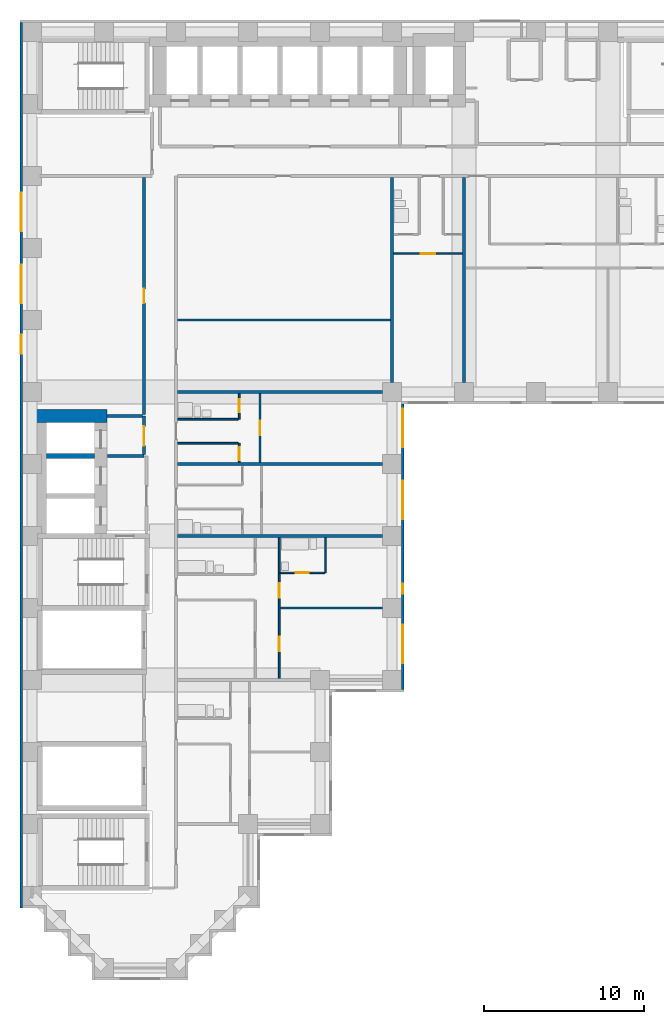
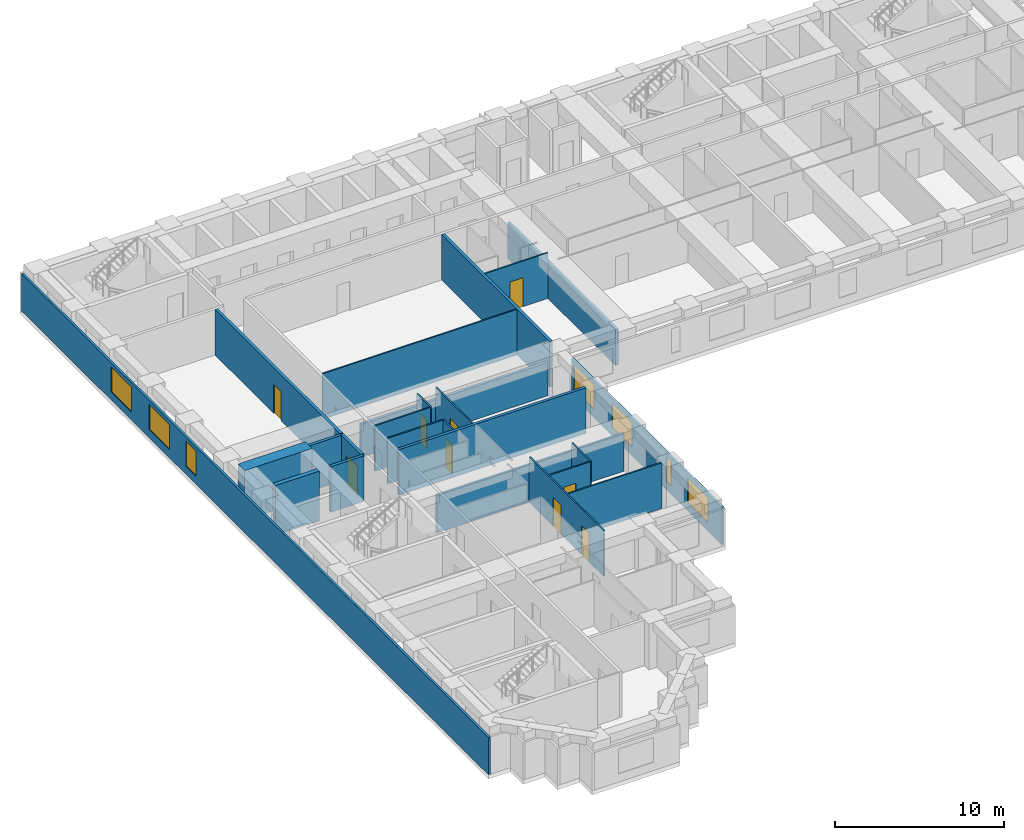
# One storey, part 4 of 11: 24 walls, 9 doors, 7 windows, 16 openings.
"""IFC4 building model written with IfcOpenShell, lengths in metres."""

from ifc_helpers import new_model, si_unit, direction, frame, frame_2d, origin, place, context, subcontext, project, spatial, rectangle, extrude, material, layer, layer_set, type_object, element, fill, save


model = new_model("IFC4")

# Units and contexts
model_context = context("Model", 3, precision=1e-05, world=origin(), true_north=direction((0.0, 1.0)))
body_context = subcontext(model_context, "Body", "Model", "MODEL_VIEW")
ifc_project = project(units=[si_unit("LENGTHUNIT", "METRE"), si_unit("AREAUNIT", "SQUARE_METRE"), si_unit("VOLUMEUNIT", "CUBIC_METRE"), si_unit("PLANEANGLEUNIT", "RADIAN"), si_unit("MASSUNIT", "GRAM", prefix="KILO")], contexts=[model_context])

# Site, building, storey
site_placement = place(None, origin())
site = spatial("IfcSite", under=ifc_project, at=site_placement, CompositionType="ELEMENT")
building_placement = place(site_placement, origin())
building = spatial("IfcBuilding", under=site, at=building_placement, Name="Firuza Court", CompositionType="ELEMENT")
storey_placement = place(building_placement, frame((0.0, 0.0, 57.800048828125)))
storey = spatial("IfcBuildingStorey", under=building, at=storey_placement, Name="L13", CompositionType="ELEMENT", Elevation=57.800048828125)

# Wall, opening, door
ifc_material_1 = material(Name="Moisture-resistant gypsum board partition")
ifc_layer_1 = layer(ifc_material_1, 0.10009765625)
ifc_layer_set_1 = layer_set([ifc_layer_1], Name="Moisture-resistant gypsum board partition")
wall_type_1 = type_object("IfcWallType", Name="Bathroom partition 100", PredefinedType="PLUMBINGWALL", material=ifc_layer_set_1)
wall_1_placement = place(storey_placement, frame((15.5, 24.699951171875, 0.0), z_axis=(0.0, 0.0, 1.0), x_axis=(1.0, 0.0, 0.0)))
wall_1 = element("IfcWall", 1, at=wall_1_placement, inside=storey, type_object=wall_type_1, Name="Bathroom partition 100 L13", PredefinedType="PLUMBINGWALL", context=body_context, shape_type="SweptSolid", body=[
    extrude(rectangle(XDim=2.800048828125, YDim=0.10009765625, at=frame_2d((1.39990234375, 0.0))), origin(), (0.0, 0.0, 1.0), 3.300048828125),
])
opening_1_placement = place(wall_1_placement, frame((1.0, 0.0, 0.0)))
opening_1 = element("IfcOpeningElement", 2, at=opening_1_placement, cuts=wall_1, Name="Opening D13034", PredefinedType="OPENING", context=body_context, shape_type="SweptSolid", body=[
    extrude(rectangle(XDim=0.800048828125, YDim=2.10009765625, at=frame_2d((0.39990234375, 1.050048828125))), frame((0.0, 0.06201171875, 0.0), z_axis=(0.0, -1.0, 0.0), x_axis=(1.0, 0.0, 0.0)), (0.0, 0.0, 1.0), 0.1240234375),
])
ifc_material_2 = material(Name="Timber door leaf in hardwood frame", Category="wood")
door_type_1 = type_object("IfcDoorType", Name="Bathroom door 800", OperationType="SINGLE_SWING_LEFT", PredefinedType="DOOR", material=ifc_material_2)
door_1_placement = place(opening_1_placement, origin())
door_1 = element("IfcDoor", 3, at=door_1_placement, inside=storey, type_object=door_type_1, Name="En-suite door", OperationType="SINGLE_SWING_LEFT", OverallHeight=2.10009765625, OverallWidth=0.800048828125, PredefinedType="DOOR", context=body_context, shape_type="SweptSolid", body=[
    extrude(rectangle(XDim=0.800048828125, YDim=2.10009765625, at=frame_2d((0.39990234375, 1.050048828125))), frame((0.0, 0.02490234375, 0.0), z_axis=(0.0, -1.0, 0.0), x_axis=(1.0, 0.0, 0.0)), (0.0, 0.0, 1.0), 0.050048828125),
])
fill(opening_1, door_1)

# Walls
wall_2_placement = place(storey_placement, frame((18.35009765625, 24.699951171875, 0.0), z_axis=(0.0, 0.0, 1.0), x_axis=(0.0, 1.0, 0.0)))
element("IfcWall", 4, at=wall_2_placement, inside=storey, type_object=wall_type_1, Name="Bathroom partition 100 L13", PredefinedType="PLUMBINGWALL", context=body_context, shape_type="SweptSolid", body=[
    extrude(rectangle(XDim=2.199951171875, YDim=0.10009765625, at=frame_2d((1.10009765625, 0.0))), origin(), (0.0, 0.0, 1.0), 3.300048828125),
])
wall_3_placement = place(storey_placement, frame((9.10009765625, 34.300048828125, 0.0), z_axis=(0.0, 0.0, 1.0), x_axis=(1.0, 0.0, 0.0)))
element("IfcWall", 5, at=wall_3_placement, inside=storey, type_object=wall_type_1, Name="Bathroom partition 100 L13", PredefinedType="PLUMBINGWALL", context=body_context, shape_type="SweptSolid", body=[
    extrude(rectangle(XDim=3.7998046875, YDim=0.10009765625, at=frame_2d((1.89990234375, 0.0))), origin(), (0.0, 0.0, 1.0), 3.300048828125),
])
ifc_material_3 = material(Name="Concrete C60/75", Category="concrete")
ifc_layer_2 = layer(ifc_material_3, 0.300048828125)
ifc_layer_set_2 = layer_set([ifc_layer_2], Name="Concrete C60/75")
wall_type_2 = type_object("IfcWallType", Name="Core wall 300 C60/75", PredefinedType="SHEAR", material=ifc_layer_set_2)
wall_4_placement = place(storey_placement, frame((0.89990234375, 32.0, -0.300048828125), z_axis=(0.0, 0.0, 1.0), x_axis=(1.0, 0.0, 0.0)))
element("IfcWall", 6, at=wall_4_placement, inside=storey, type_object=wall_type_2, Name="Core wall lift shaft L13", PredefinedType="SHEAR", context=body_context, shape_type="SweptSolid", body=[
    extrude(rectangle(XDim=3.0, YDim=0.300048828125, at=frame_2d((1.5, 0.0))), origin(), (0.0, 0.0, 1.0), 3.60009765625),
])
ifc_layer_3 = layer(ifc_material_3, 0.800048828125)
ifc_layer_set_3 = layer_set([ifc_layer_3], Name="Concrete C60/75")
wall_type_3 = type_object("IfcWallType", Name="Core wall 800 C60/75", PredefinedType="SHEAR", material=ifc_layer_set_3)
wall_5_placement = place(storey_placement, frame((0.10009765625, 34.5, -0.300048828125), z_axis=(0.0, 0.0, 1.0), x_axis=(1.0, 0.0, 0.0)))
element("IfcWall", 7, at=wall_5_placement, inside=storey, type_object=wall_type_3, Name="Core wall lift shaft L13", PredefinedType="SHEAR", context=body_context, shape_type="SweptSolid", body=[
    extrude(rectangle(XDim=4.599853515625, YDim=0.800048828125, at=frame_2d((2.2998046875, 0.0))), origin(), (0.0, 0.0, 1.0), 3.60009765625),
])

# Wall, opening, door
ifc_material_4 = material(Name="Blockwork, plastered both sides", Category="masonry")
ifc_layer_4 = layer(ifc_material_4, 0.199951171875)
ifc_layer_set_4 = layer_set([ifc_layer_4], Name="Blockwork, plastered both sides")
wall_type_4 = type_object("IfcWallType", Name="Corridor wall 200", PredefinedType="PARTITIONING", material=ifc_layer_set_4)
wall_6_placement = place(storey_placement, frame((7.0, 34.60009765625, 0.0), z_axis=(0.0, 0.0, 1.0), x_axis=(0.0, 1.0, 0.0)))
wall_6 = element("IfcWall", 8, at=wall_6_placement, inside=storey, type_object=wall_type_4, Name="Corridor wall 200 L13", PredefinedType="PARTITIONING", context=body_context, shape_type="SweptSolid", body=[
    extrude(rectangle(XDim=14.7998046875, YDim=0.199951171875, at=frame_2d((7.39990234375, 0.0))), origin(), (0.0, 0.0, 1.0), 3.300048828125),
])
opening_2_placement = place(wall_6_placement, frame((6.949951171875, 0.0, 0.0)))
opening_2 = element("IfcOpeningElement", 9, at=opening_2_placement, cuts=wall_6, Name="Opening D13041", PredefinedType="OPENING", context=body_context, shape_type="SweptSolid", body=[
    extrude(rectangle(XDim=0.89990234375, YDim=2.10009765625, at=frame_2d((0.449951171875, 1.050048828125))), frame((0.0, 0.11181640625, 0.0), z_axis=(0.0, -1.0, 0.0), x_axis=(1.0, 0.0, 0.0)), (0.0, 0.0, 1.0), 0.223876953125),
])
ifc_material_5 = material(Name="Timber door leaf in hardwood frame", Category="wood")
door_type_2 = type_object("IfcDoorType", Name="Room door 900 EI 30", OperationType="SINGLE_SWING_LEFT", PredefinedType="DOOR", material=ifc_material_5)
door_2_placement = place(opening_2_placement, origin())
door_2 = element("IfcDoor", 10, at=door_2_placement, inside=storey, type_object=door_type_2, Name="Residents' workroom door", OperationType="SINGLE_SWING_LEFT", OverallHeight=2.10009765625, OverallWidth=0.89990234375, PredefinedType="DOOR", context=body_context, shape_type="SweptSolid", body=[
    extrude(rectangle(XDim=0.89990234375, YDim=2.10009765625, at=frame_2d((0.449951171875, 1.050048828125))), frame((0.0, 0.02490234375, 0.0), z_axis=(0.0, -1.0, 0.0), x_axis=(1.0, 0.0, 0.0)), (0.0, 0.0, 1.0), 0.050048828125),
])
fill(opening_2, door_2)

# Wall, openings, doors
ifc_material_6 = material(Name="Timber stud partition, plasterboard both sides", Category="wood")
ifc_layer_5 = layer(ifc_material_6, 0.10009765625)
ifc_layer_set_5 = layer_set([ifc_layer_5], Name="Timber stud partition, plasterboard both sides")
wall_type_5 = type_object("IfcWallType", Name="Partition wall 100", PredefinedType="PARTITIONING", material=ifc_layer_set_5)
wall_7_placement = place(storey_placement, frame((15.449951171875, 18.10009765625, 0.0), z_axis=(0.0, 0.0, 1.0), x_axis=(0.0, 1.0, 0.0)))
wall_7 = element("IfcWall", 11, at=wall_7_placement, inside=storey, type_object=wall_type_5, Name="Partition wall 100 L13", PredefinedType="PARTITIONING", context=body_context, shape_type="SweptSolid", body=[
    extrude(rectangle(XDim=8.7998046875, YDim=0.10009765625, at=frame_2d((4.39990234375, 0.0))), origin(), (0.0, 0.0, 1.0), 3.300048828125),
])
opening_3_placement = place(wall_7_placement, frame((1.699951171875, 0.0, 0.0)))
opening_3 = element("IfcOpeningElement", 12, at=opening_3_placement, cuts=wall_7, Name="Opening D13031", PredefinedType="OPENING", context=body_context, shape_type="SweptSolid", body=[
    extrude(rectangle(XDim=0.89990234375, YDim=2.10009765625, at=frame_2d((0.449951171875, 1.050048828125))), frame((0.0, 0.06201171875, 0.0), z_axis=(0.0, -1.0, 0.0), x_axis=(1.0, 0.0, 0.0)), (0.0, 0.0, 1.0), 0.1240234375),
])
opening_4_placement = place(wall_7_placement, frame((5.050048828125, 0.0, 0.0)))
opening_4 = element("IfcOpeningElement", 13, at=opening_4_placement, cuts=wall_7, Name="Opening D13032", PredefinedType="OPENING", context=body_context, shape_type="SweptSolid", body=[
    extrude(rectangle(XDim=0.89990234375, YDim=2.10009765625, at=frame_2d((0.449951171875, 1.050048828125))), frame((0.0, 0.06201171875, 0.0), z_axis=(0.0, -1.0, 0.0), x_axis=(1.0, 0.0, 0.0)), (0.0, 0.0, 1.0), 0.1240234375),
])
ifc_material_7 = material(Name="Timber door leaf in hardwood frame", Category="wood")
door_type_3 = type_object("IfcDoorType", Name="Room door 900", OperationType="SINGLE_SWING_LEFT", PredefinedType="DOOR", material=ifc_material_7)
door_3_placement = place(opening_3_placement, frame((0.89990234375, 0.0, 0.0), z_axis=(0.0, 0.0, 1.0), x_axis=(-1.0, 0.0, 0.0)))
door_3 = element("IfcDoor", 14, at=door_3_placement, inside=storey, type_object=door_type_3, Name="Living room door", OperationType="SINGLE_SWING_RIGHT", OverallHeight=2.10009765625, OverallWidth=0.89990234375, PredefinedType="DOOR", context=body_context, shape_type="SweptSolid", body=[
    extrude(rectangle(XDim=0.89990234375, YDim=2.10009765625, at=frame_2d((0.449951171875, 1.050048828125))), frame((0.0, 0.02490234375, 0.0), z_axis=(0.0, -1.0, 0.0), x_axis=(1.0, 0.0, 0.0)), (0.0, 0.0, 1.0), 0.050048828125),
])
fill(opening_3, door_3)
door_4_placement = place(opening_4_placement, frame((0.89990234375, 0.0, 0.0), z_axis=(0.0, 0.0, 1.0), x_axis=(-1.0, 0.0, 0.0)))
door_4 = element("IfcDoor", 15, at=door_4_placement, inside=storey, type_object=door_type_3, Name="Bedroom door", OperationType="SINGLE_SWING_RIGHT", OverallHeight=2.10009765625, OverallWidth=0.89990234375, PredefinedType="DOOR", context=body_context, shape_type="SweptSolid", body=[
    extrude(rectangle(XDim=0.89990234375, YDim=2.10009765625, at=frame_2d((0.449951171875, 1.050048828125))), frame((0.0, 0.02490234375, 0.0), z_axis=(0.0, -1.0, 0.0), x_axis=(1.0, 0.0, 0.0)), (0.0, 0.0, 1.0), 0.050048828125),
])
fill(opening_4, door_4)

# Wall
wall_8_placement = place(storey_placement, frame((15.5, 22.5, 0.0), z_axis=(0.0, 0.0, 1.0), x_axis=(1.0, 0.0, 0.0)))
element("IfcWall", 16, at=wall_8_placement, inside=storey, type_object=wall_type_5, Name="Partition wall 100 L13", PredefinedType="PARTITIONING", context=body_context, shape_type="SweptSolid", body=[
    extrude(rectangle(XDim=6.39990234375, YDim=0.10009765625, at=frame_2d((3.199951171875, 0.0))), origin(), (0.0, 0.0, 1.0), 3.300048828125),
])

# Wall, opening, door
wall_9_placement = place(storey_placement, frame((12.949951171875, 31.60009765625, 0.0), z_axis=(0.0, 0.0, 1.0), x_axis=(0.0, 1.0, 0.0)))
wall_9 = element("IfcWall", 17, at=wall_9_placement, inside=storey, type_object=wall_type_5, Name="Partition wall 100 L13", PredefinedType="PARTITIONING", context=body_context, shape_type="SweptSolid", body=[
    extrude(rectangle(XDim=1.199951171875, YDim=0.10009765625, at=frame_2d((0.60009765625, 0.0))), origin(), (0.0, 0.0, 1.0), 3.300048828125),
])
opening_5_placement = place(wall_9_placement, frame((0.14990234375, 0.0, 0.0)))
opening_5 = element("IfcOpeningElement", 18, at=opening_5_placement, cuts=wall_9, Name="Opening D13038", PredefinedType="OPENING", context=body_context, shape_type="SweptSolid", body=[
    extrude(rectangle(XDim=0.800048828125, YDim=2.10009765625, at=frame_2d((0.39990234375, 1.050048828125))), frame((0.0, 0.06201171875, 0.0), z_axis=(0.0, -1.0, 0.0), x_axis=(1.0, 0.0, 0.0)), (0.0, 0.0, 1.0), 0.1240234375),
])
ifc_material_8 = material(Name="Timber door leaf in hardwood frame", Category="wood")
door_type_4 = type_object("IfcDoorType", Name="Room door 800", OperationType="SINGLE_SWING_LEFT", PredefinedType="DOOR", material=ifc_material_8)
door_5_placement = place(opening_5_placement, origin())
door_5 = element("IfcDoor", 19, at=door_5_placement, inside=storey, type_object=door_type_4, Name="Kitchen door", OperationType="SINGLE_SWING_LEFT", OverallHeight=2.10009765625, OverallWidth=0.800048828125, PredefinedType="DOOR", context=body_context, shape_type="SweptSolid", body=[
    extrude(rectangle(XDim=0.800048828125, YDim=2.10009765625, at=frame_2d((0.39990234375, 1.050048828125))), frame((0.0, 0.02490234375, 0.0), z_axis=(0.0, -1.0, 0.0), x_axis=(1.0, 0.0, 0.0)), (0.0, 0.0, 1.0), 0.050048828125),
])
fill(opening_5, door_5)

wall_10_placement = place(storey_placement, frame((14.25, 31.60009765625, 0.0), z_axis=(0.0, 0.0, 1.0), x_axis=(0.0, 1.0, 0.0)))
wall_10 = element("IfcWall", 20, at=wall_10_placement, inside=storey, type_object=wall_type_5, Name="Partition wall 100 L13", PredefinedType="PARTITIONING", context=body_context, shape_type="SweptSolid", body=[
    extrude(rectangle(XDim=4.2998046875, YDim=0.10009765625, at=frame_2d((2.14990234375, 0.0))), origin(), (0.0, 0.0, 1.0), 3.300048828125),
])
opening_6_placement = place(wall_10_placement, frame((1.699951171875, 0.0, 0.0)))
opening_6 = element("IfcOpeningElement", 21, at=opening_6_placement, cuts=wall_10, Name="Opening D13039", PredefinedType="OPENING", context=body_context, shape_type="SweptSolid", body=[
    extrude(rectangle(XDim=0.89990234375, YDim=2.10009765625, at=frame_2d((0.449951171875, 1.050048828125))), frame((0.0, 0.06201171875, 0.0), z_axis=(0.0, -1.0, 0.0), x_axis=(1.0, 0.0, 0.0)), (0.0, 0.0, 1.0), 0.1240234375),
])
door_6_placement = place(opening_6_placement, frame((0.89990234375, 0.0, 0.0), z_axis=(0.0, 0.0, 1.0), x_axis=(-1.0, 0.0, 0.0)))
door_6 = element("IfcDoor", 22, at=door_6_placement, inside=storey, type_object=door_type_3, Name="Studio room door", OperationType="SINGLE_SWING_RIGHT", OverallHeight=2.10009765625, OverallWidth=0.89990234375, PredefinedType="DOOR", context=body_context, shape_type="SweptSolid", body=[
    extrude(rectangle(XDim=0.89990234375, YDim=2.10009765625, at=frame_2d((0.449951171875, 1.050048828125))), frame((0.0, 0.02490234375, 0.0), z_axis=(0.0, -1.0, 0.0), x_axis=(1.0, 0.0, 0.0)), (0.0, 0.0, 1.0), 0.050048828125),
])
fill(opening_6, door_6)

# Wall
wall_11_placement = place(storey_placement, frame((9.10009765625, 32.800048828125, 0.0), z_axis=(0.0, 0.0, 1.0), x_axis=(1.0, 0.0, 0.0)))
element("IfcWall", 23, at=wall_11_placement, inside=storey, type_object=wall_type_5, Name="Partition wall 100 L13", PredefinedType="PARTITIONING", context=body_context, shape_type="SweptSolid", body=[
    extrude(rectangle(XDim=3.7998046875, YDim=0.10009765625, at=frame_2d((1.89990234375, 0.0))), origin(), (0.0, 0.0, 1.0), 3.300048828125),
])

# Wall, opening, door
wall_12_placement = place(storey_placement, frame((12.949951171875, 34.300048828125, 0.0), z_axis=(0.0, 0.0, 1.0), x_axis=(0.0, 1.0, 0.0)))
wall_12 = element("IfcWall", 24, at=wall_12_placement, inside=storey, type_object=wall_type_5, Name="Partition wall 100 L13", PredefinedType="PARTITIONING", context=body_context, shape_type="SweptSolid", body=[
    extrude(rectangle(XDim=1.599853515625, YDim=0.10009765625, at=frame_2d((0.7998046875, 0.0))), origin(), (0.0, 0.0, 1.0), 3.300048828125),
])
opening_7_placement = place(wall_12_placement, frame((0.449951171875, 0.0, 0.0)))
opening_7 = element("IfcOpeningElement", 25, at=opening_7_placement, cuts=wall_12, Name="Opening D13040", PredefinedType="OPENING", context=body_context, shape_type="SweptSolid", body=[
    extrude(rectangle(XDim=0.800048828125, YDim=2.10009765625, at=frame_2d((0.39990234375, 1.050048828125))), frame((0.0, 0.06201171875, 0.0), z_axis=(0.0, -1.0, 0.0), x_axis=(1.0, 0.0, 0.0)), (0.0, 0.0, 1.0), 0.1240234375),
])
door_7_placement = place(opening_7_placement, origin())
door_7 = element("IfcDoor", 26, at=door_7_placement, inside=storey, type_object=door_type_1, Name="Bathroom door", OperationType="SINGLE_SWING_LEFT", OverallHeight=2.10009765625, OverallWidth=0.800048828125, PredefinedType="DOOR", context=body_context, shape_type="SweptSolid", body=[
    extrude(rectangle(XDim=0.800048828125, YDim=2.10009765625, at=frame_2d((0.39990234375, 1.050048828125))), frame((0.0, 0.02490234375, 0.0), z_axis=(0.0, -1.0, 0.0), x_axis=(1.0, 0.0, 0.0)), (0.0, 0.0, 1.0), 0.050048828125),
])
fill(opening_7, door_7)

# Wall
wall_13_placement = place(storey_placement, frame((9.10009765625, 40.5, 0.0), z_axis=(0.0, 0.0, 1.0), x_axis=(1.0, 0.0, 0.0)))
element("IfcWall", 27, at=wall_13_placement, inside=storey, type_object=wall_type_5, Name="Partition wall 100 L13", PredefinedType="PARTITIONING", context=body_context, shape_type="SweptSolid", body=[
    extrude(rectangle(XDim=13.2998046875, YDim=0.10009765625, at=frame_2d((6.64990234375, 0.0))), origin(), (0.0, 0.0, 1.0), 3.300048828125),
])

# Wall, opening, door
wall_14_placement = place(storey_placement, frame((22.60009765625, 44.64990234375, 0.0), z_axis=(0.0, 0.0, 1.0), x_axis=(1.0, 0.0, 0.0)))
wall_14 = element("IfcWall", 28, at=wall_14_placement, inside=storey, type_object=wall_type_5, Name="Partition wall 100 L13", PredefinedType="PARTITIONING", context=body_context, shape_type="SweptSolid", body=[
    extrude(rectangle(XDim=4.2998046875, YDim=0.10009765625, at=frame_2d((2.14990234375, 0.0))), origin(), (0.0, 0.0, 1.0), 3.300048828125),
])
opening_8_placement = place(wall_14_placement, frame((1.699951171875, 0.0, 0.0)))
opening_8 = element("IfcOpeningElement", 29, at=opening_8_placement, cuts=wall_14, Name="Opening D13049", PredefinedType="OPENING", context=body_context, shape_type="SweptSolid", body=[
    extrude(rectangle(XDim=0.89990234375, YDim=2.10009765625, at=frame_2d((0.449951171875, 1.050048828125))), frame((0.0, 0.06201171875, 0.0), z_axis=(0.0, -1.0, 0.0), x_axis=(1.0, 0.0, 0.0)), (0.0, 0.0, 1.0), 0.1240234375),
])
door_8_placement = place(opening_8_placement, frame((0.89990234375, 0.0, 0.0), z_axis=(0.0, 0.0, 1.0), x_axis=(-1.0, 0.0, 0.0)))
door_8 = element("IfcDoor", 30, at=door_8_placement, inside=storey, type_object=door_type_3, Name="Studio room door", OperationType="SINGLE_SWING_RIGHT", OverallHeight=2.10009765625, OverallWidth=0.89990234375, PredefinedType="DOOR", context=body_context, shape_type="SweptSolid", body=[
    extrude(rectangle(XDim=0.89990234375, YDim=2.10009765625, at=frame_2d((0.449951171875, 1.050048828125))), frame((0.0, 0.02490234375, 0.0), z_axis=(0.0, -1.0, 0.0), x_axis=(1.0, 0.0, 0.0)), (0.0, 0.0, 1.0), 0.050048828125),
])
fill(opening_8, door_8)

# Walls
ifc_layer_6 = layer(ifc_material_4, 0.199951171875)
ifc_layer_set_6 = layer_set([ifc_layer_6], Name="Blockwork, plastered both sides")
wall_type_6 = type_object("IfcWallType", Name="Party wall 200", PredefinedType="PARTITIONING", material=ifc_layer_set_6)
wall_15_placement = place(storey_placement, frame((9.10009765625, 27.0, 0.0), z_axis=(0.0, 0.0, 1.0), x_axis=(1.0, 0.0, 0.0)))
element("IfcWall", 31, at=wall_15_placement, inside=storey, type_object=wall_type_6, Name="Party wall 200 L13", PredefinedType="PARTITIONING", context=body_context, shape_type="SweptSolid", body=[
    extrude(rectangle(XDim=12.7998046875, YDim=0.199951171875, at=frame_2d((6.39990234375, 0.0))), origin(), (0.0, 0.0, 1.0), 2.699951171875),
])
wall_16_placement = place(storey_placement, frame((9.10009765625, 31.5, 0.0), z_axis=(0.0, 0.0, 1.0), x_axis=(1.0, 0.0, 0.0)))
element("IfcWall", 32, at=wall_16_placement, inside=storey, type_object=wall_type_6, Name="Party wall 200 L13", PredefinedType="PARTITIONING", context=body_context, shape_type="SweptSolid", body=[
    extrude(rectangle(XDim=12.7998046875, YDim=0.199951171875, at=frame_2d((6.39990234375, 0.0))), origin(), (0.0, 0.0, 1.0), 3.300048828125),
])
wall_17_placement = place(storey_placement, frame((9.10009765625, 36.0, 0.0), z_axis=(0.0, 0.0, 1.0), x_axis=(1.0, 0.0, 0.0)))
element("IfcWall", 33, at=wall_17_placement, inside=storey, type_object=wall_type_6, Name="Party wall 200 L13", PredefinedType="PARTITIONING", context=body_context, shape_type="SweptSolid", body=[
    extrude(rectangle(XDim=12.7998046875, YDim=0.199951171875, at=frame_2d((6.39990234375, 0.0))), origin(), (0.0, 0.0, 1.0), 2.39990234375),
])
wall_18_placement = place(storey_placement, frame((22.5, 36.60009765625, 0.0), z_axis=(0.0, 0.0, 1.0), x_axis=(0.0, 1.0, 0.0)))
element("IfcWall", 34, at=wall_18_placement, inside=storey, type_object=wall_type_6, Name="Party wall 200 L13", PredefinedType="PARTITIONING", context=body_context, shape_type="SweptSolid", body=[
    extrude(rectangle(XDim=12.7998046875, YDim=0.199951171875, at=frame_2d((6.39990234375, 0.0))), origin(), (0.0, 0.0, 1.0), 3.300048828125),
])
wall_19_placement = place(storey_placement, frame((27.0, 36.60009765625, 0.0), z_axis=(0.0, 0.0, 1.0), x_axis=(0.0, 1.0, 0.0)))
element("IfcWall", 35, at=wall_19_placement, inside=storey, type_object=wall_type_6, Name="Party wall 200 L13", PredefinedType="PARTITIONING", context=body_context, shape_type="SweptSolid", body=[
    extrude(rectangle(XDim=12.7998046875, YDim=0.199951171875, at=frame_2d((6.39990234375, 0.0))), origin(), (0.0, 0.0, 1.0), 2.599853515625),
])

# Wall, openings, windows
ifc_material_9 = material(Name="Ceramic tile", Category="ceramic")
ifc_layer_7 = layer(ifc_material_9, 0.02001953125)
ifc_material_10 = material(Name="Mineral wool insulation", Category="insulation")
ifc_layer_8 = layer(ifc_material_10, 0.050048828125)
ifc_material_11 = material(Name="Concrete C40/50 precast", Category="concrete")
ifc_layer_9 = layer(ifc_material_11, 0.080078125)
ifc_layer_set_7 = layer_set([ifc_layer_7, ifc_layer_8, ifc_layer_9], Name="Concrete C40/50 precast")
wall_type_7 = type_object("IfcWallType", Name="Precast cladding wall with turquoise TILE PANEL face 150", PredefinedType="STANDARD", material=ifc_layer_set_7)
wall_20_placement = place(storey_placement, frame((23.175048828125, 17.39990234375, 0.0), z_axis=(0.0, 0.0, 1.0), x_axis=(0.0, 1.0, 0.0)))
wall_20 = element("IfcWall", 36, at=wall_20_placement, inside=storey, type_object=wall_type_7, Name="Facade wall L13 E", PredefinedType="STANDARD", context=body_context, shape_type="SweptSolid", body=[
    extrude(rectangle(XDim=17.85009765625, YDim=0.14990234375, at=frame_2d((8.925048828125, 0.0))), origin(), (0.0, 0.0, 1.0), 2.699951171875),
])
opening_9_placement = place(wall_20_placement, frame((1.64990234375, 0.0, 0.60009765625)))
opening_9 = element("IfcOpeningElement", 37, at=opening_9_placement, cuts=wall_20, Name="Opening W1", PredefinedType="OPENING", context=body_context, shape_type="SweptSolid", body=[
    extrude(rectangle(XDim=2.39990234375, YDim=1.800048828125, at=frame_2d((1.199951171875, 0.89990234375))), frame((0.0, 0.0869140625, 0.0), z_axis=(0.0, -1.0, 0.0), x_axis=(1.0, 0.0, 0.0)), (0.0, 0.0, 1.0), 0.173828125),
])
opening_10_placement = place(wall_20_placement, frame((6.005615234375, 0.0, 0.60009765625)))
opening_10 = element("IfcOpeningElement", 38, at=opening_10_placement, cuts=wall_20, Name="Opening W4", PredefinedType="OPENING", context=body_context, shape_type="SweptSolid", body=[
    extrude(rectangle(XDim=0.60009765625, YDim=1.800048828125, at=frame_2d((0.300048828125, 0.89990234375))), frame((0.0, 0.0869140625, 0.0), z_axis=(0.0, -1.0, 0.0), x_axis=(1.0, 0.0, 0.0)), (0.0, 0.0, 1.0), 0.173828125),
])
opening_11_placement = place(wall_20_placement, frame((10.64990234375, 0.0, 0.60009765625)))
opening_11 = element("IfcOpeningElement", 39, at=opening_11_placement, cuts=wall_20, Name="Opening W1", PredefinedType="OPENING", context=body_context, shape_type="SweptSolid", body=[
    extrude(rectangle(XDim=2.39990234375, YDim=1.800048828125, at=frame_2d((1.199951171875, 0.89990234375))), frame((0.0, 0.0869140625, 0.0), z_axis=(0.0, -1.0, 0.0), x_axis=(1.0, 0.0, 0.0)), (0.0, 0.0, 1.0), 0.173828125),
])
opening_12_placement = place(wall_20_placement, frame((15.14990234375, 0.0, 0.60009765625)))
opening_12 = element("IfcOpeningElement", 40, at=opening_12_placement, cuts=wall_20, Name="Opening W1", PredefinedType="OPENING", context=body_context, shape_type="SweptSolid", body=[
    extrude(rectangle(XDim=2.39990234375, YDim=1.800048828125, at=frame_2d((1.199951171875, 0.89990234375))), frame((0.0, 0.0869140625, 0.0), z_axis=(0.0, -1.0, 0.0), x_axis=(1.0, 0.0, 0.0)), (0.0, 0.0, 1.0), 0.173828125),
])
ifc_material_12 = material(Name="Aluminium frame, triple clear glazing", Category="aluminium")
window_type_1 = type_object("IfcWindowType", Name="Window W1 2400 x 1800", PartitioningType="SINGLE_PANEL", PredefinedType="WINDOW", material=ifc_material_12)
window_1_placement = place(opening_9_placement, origin())
window_1 = element("IfcWindow", 41, at=window_1_placement, inside=storey, type_object=window_type_1, Name="Window L13", OverallHeight=1.800048828125, OverallWidth=2.39990234375, PartitioningType="SINGLE_PANEL", PredefinedType="WINDOW", context=body_context, shape_type="SweptSolid", body=[
    extrude(rectangle(XDim=2.39990234375, YDim=1.800048828125, at=frame_2d((1.199951171875, 0.89990234375))), frame((0.0, 0.030029296875, 0.0), z_axis=(0.0, -1.0, 0.0), x_axis=(1.0, 0.0, 0.0)), (0.0, 0.0, 1.0), 0.06005859375),
])
fill(opening_9, window_1)
window_2_placement = place(opening_11_placement, origin())
window_2 = element("IfcWindow", 42, at=window_2_placement, inside=storey, type_object=window_type_1, Name="Window L13", OverallHeight=1.800048828125, OverallWidth=2.39990234375, PartitioningType="SINGLE_PANEL", PredefinedType="WINDOW", context=body_context, shape_type="SweptSolid", body=[
    extrude(rectangle(XDim=2.39990234375, YDim=1.800048828125, at=frame_2d((1.199951171875, 0.89990234375))), frame((0.0, 0.030029296875, 0.0), z_axis=(0.0, -1.0, 0.0), x_axis=(1.0, 0.0, 0.0)), (0.0, 0.0, 1.0), 0.06005859375),
])
fill(opening_11, window_2)
window_3_placement = place(opening_12_placement, origin())
window_3 = element("IfcWindow", 43, at=window_3_placement, inside=storey, type_object=window_type_1, Name="Window L13", OverallHeight=1.800048828125, OverallWidth=2.39990234375, PartitioningType="SINGLE_PANEL", PredefinedType="WINDOW", context=body_context, shape_type="SweptSolid", body=[
    extrude(rectangle(XDim=2.39990234375, YDim=1.800048828125, at=frame_2d((1.199951171875, 0.89990234375))), frame((0.0, 0.030029296875, 0.0), z_axis=(0.0, -1.0, 0.0), x_axis=(1.0, 0.0, 0.0)), (0.0, 0.0, 1.0), 0.06005859375),
])
fill(opening_12, window_3)
ifc_material_13 = material(Name="Aluminium frame, triple clear glazing", Category="aluminium")
window_type_2 = type_object("IfcWindowType", Name="Window W4 600 x 1800", PartitioningType="SINGLE_PANEL", PredefinedType="WINDOW", material=ifc_material_13)
window_4_placement = place(opening_10_placement, origin())
window_4 = element("IfcWindow", 44, at=window_4_placement, inside=storey, type_object=window_type_2, Name="Window L13", OverallHeight=1.800048828125, OverallWidth=0.60009765625, PartitioningType="SINGLE_PANEL", PredefinedType="WINDOW", context=body_context, shape_type="SweptSolid", body=[
    extrude(rectangle(XDim=0.60009765625, YDim=1.800048828125, at=frame_2d((0.300048828125, 0.89990234375))), frame((0.0, 0.030029296875, 0.0), z_axis=(0.0, -1.0, 0.0), x_axis=(1.0, 0.0, 0.0)), (0.0, 0.0, 1.0), 0.06005859375),
])
fill(opening_10, window_4)

wall_21_placement = place(storey_placement, frame((-0.675048828125, 59.10009765625, 0.0), z_axis=(0.0, 0.0, 1.0), x_axis=(0.0, -1.0, 0.0)))
wall_21 = element("IfcWall", 45, at=wall_21_placement, inside=storey, type_object=wall_type_7, Name="Facade wall L13 W", PredefinedType="STANDARD", context=body_context, shape_type="SweptSolid", body=[
    extrude(rectangle(XDim=55.35009765625, YDim=0.14990234375, at=frame_2d((27.675048828125, 0.0))), origin(), (0.0, 0.0, 1.0), 2.699951171875),
])
opening_13_placement = place(wall_21_placement, frame((10.64990234375, 0.0, 0.60009765625)))
opening_13 = element("IfcOpeningElement", 46, at=opening_13_placement, cuts=wall_21, Name="Opening W1", PredefinedType="OPENING", context=body_context, shape_type="SweptSolid", body=[
    extrude(rectangle(XDim=2.39990234375, YDim=1.800048828125, at=frame_2d((1.199951171875, 0.89990234375))), frame((0.0, 0.0869140625, 0.0), z_axis=(0.0, -1.0, 0.0), x_axis=(1.0, 0.0, 0.0)), (0.0, 0.0, 1.0), 0.173828125),
])
opening_14_placement = place(wall_21_placement, frame((15.14990234375, 0.0, 0.60009765625)))
opening_14 = element("IfcOpeningElement", 47, at=opening_14_placement, cuts=wall_21, Name="Opening W1", PredefinedType="OPENING", context=body_context, shape_type="SweptSolid", body=[
    extrude(rectangle(XDim=2.39990234375, YDim=1.800048828125, at=frame_2d((1.199951171875, 0.89990234375))), frame((0.0, 0.0869140625, 0.0), z_axis=(0.0, -1.0, 0.0), x_axis=(1.0, 0.0, 0.0)), (0.0, 0.0, 1.0), 0.173828125),
])
opening_15_placement = place(wall_21_placement, frame((19.523193359375, 0.0, 0.60009765625)))
opening_15 = element("IfcOpeningElement", 48, at=opening_15_placement, cuts=wall_21, Name="Opening W8", PredefinedType="OPENING", context=body_context, shape_type="SweptSolid", body=[
    extrude(rectangle(XDim=1.199951171875, YDim=1.800048828125, at=frame_2d((0.60009765625, 0.89990234375))), frame((0.0, 0.0869140625, 0.0), z_axis=(0.0, -1.0, 0.0), x_axis=(1.0, 0.0, 0.0)), (0.0, 0.0, 1.0), 0.173828125),
])
window_5_placement = place(opening_13_placement, origin())
window_5 = element("IfcWindow", 49, at=window_5_placement, inside=storey, type_object=window_type_1, Name="Window L13", OverallHeight=1.800048828125, OverallWidth=2.39990234375, PartitioningType="SINGLE_PANEL", PredefinedType="WINDOW", context=body_context, shape_type="SweptSolid", body=[
    extrude(rectangle(XDim=2.39990234375, YDim=1.800048828125, at=frame_2d((1.199951171875, 0.89990234375))), frame((0.0, 0.030029296875, 0.0), z_axis=(0.0, -1.0, 0.0), x_axis=(1.0, 0.0, 0.0)), (0.0, 0.0, 1.0), 0.06005859375),
])
fill(opening_13, window_5)
window_6_placement = place(opening_14_placement, origin())
window_6 = element("IfcWindow", 50, at=window_6_placement, inside=storey, type_object=window_type_1, Name="Window L13", OverallHeight=1.800048828125, OverallWidth=2.39990234375, PartitioningType="SINGLE_PANEL", PredefinedType="WINDOW", context=body_context, shape_type="SweptSolid", body=[
    extrude(rectangle(XDim=2.39990234375, YDim=1.800048828125, at=frame_2d((1.199951171875, 0.89990234375))), frame((0.0, 0.030029296875, 0.0), z_axis=(0.0, -1.0, 0.0), x_axis=(1.0, 0.0, 0.0)), (0.0, 0.0, 1.0), 0.06005859375),
])
fill(opening_14, window_6)
ifc_material_14 = material(Name="Aluminium frame, triple clear glazing", Category="aluminium")
window_type_3 = type_object("IfcWindowType", Name="Window W8 1200 x 1800", PartitioningType="SINGLE_PANEL", PredefinedType="WINDOW", material=ifc_material_14)
window_7_placement = place(opening_15_placement, origin())
window_7 = element("IfcWindow", 51, at=window_7_placement, inside=storey, type_object=window_type_3, Name="Window L13", OverallHeight=1.800048828125, OverallWidth=1.199951171875, PartitioningType="SINGLE_PANEL", PredefinedType="WINDOW", context=body_context, shape_type="SweptSolid", body=[
    extrude(rectangle(XDim=1.199951171875, YDim=1.800048828125, at=frame_2d((0.60009765625, 0.89990234375))), frame((0.0, 0.030029296875, 0.0), z_axis=(0.0, -1.0, 0.0), x_axis=(1.0, 0.0, 0.0)), (0.0, 0.0, 1.0), 0.06005859375),
])
fill(opening_15, window_7)

# Wall
ifc_material_15 = material(Name="Blockwork, fire-rated", Category="masonry")
ifc_layer_10 = layer(ifc_material_15, 0.199951171875)
ifc_layer_set_8 = layer_set([ifc_layer_10], Name="Blockwork, fire-rated")
wall_type_8 = type_object("IfcWallType", Name="Shaft wall 200", PredefinedType="PARTITIONING", material=ifc_layer_set_8)
wall_22_placement = place(storey_placement, frame((4.719970703125, 32.0, 0.0), z_axis=(0.0, 0.0, 1.0), x_axis=(1.0, 0.0, 0.0)))
element("IfcWall", 52, at=wall_22_placement, inside=storey, type_object=wall_type_8, Name="Shaft wall 200 L13", PredefinedType="PARTITIONING", context=body_context, shape_type="SweptSolid", body=[
    extrude(rectangle(XDim=2.280029296875, YDim=0.199951171875, at=frame_2d((1.14013671875, 0.0))), origin(), (0.0, 0.0, 1.0), 3.300048828125),
])

# Wall, opening, door
wall_23_placement = place(storey_placement, frame((7.0, 32.10009765625, 0.0), z_axis=(0.0, 0.0, 1.0), x_axis=(0.0, 1.0, 0.0)))
wall_23 = element("IfcWall", 53, at=wall_23_placement, inside=storey, type_object=wall_type_8, Name="Shaft wall 200 L13", PredefinedType="PARTITIONING", context=body_context, shape_type="SweptSolid", body=[
    extrude(rectangle(XDim=2.39990234375, YDim=0.199951171875, at=frame_2d((1.199951171875, 0.0))), origin(), (0.0, 0.0, 1.0), 3.300048828125),
])
opening_16_placement = place(wall_23_placement, frame((0.550048828125, 0.0, 0.0)))
opening_16 = element("IfcOpeningElement", 54, at=opening_16_placement, cuts=wall_23, Name="Opening D13008", PredefinedType="OPENING", context=body_context, shape_type="SweptSolid", body=[
    extrude(rectangle(XDim=1.199951171875, YDim=2.10009765625, at=frame_2d((0.60009765625, 1.050048828125))), frame((0.0, 0.11181640625, 0.0), z_axis=(0.0, -1.0, 0.0), x_axis=(1.0, 0.0, 0.0)), (0.0, 0.0, 1.0), 0.223876953125),
])
ifc_material_16 = material(Name="Timber door leaf in hardwood frame", Category="wood")
door_type_5 = type_object("IfcDoorType", Name="Lobby door 1200", OperationType="SINGLE_SWING_LEFT", PredefinedType="DOOR", material=ifc_material_16)
door_9_placement = place(opening_16_placement, origin())
door_9 = element("IfcDoor", 55, at=door_9_placement, inside=storey, type_object=door_type_5, Name="Lobby door", OperationType="SINGLE_SWING_LEFT", OverallHeight=2.10009765625, OverallWidth=1.199951171875, PredefinedType="DOOR", context=body_context, shape_type="SweptSolid", body=[
    extrude(rectangle(XDim=1.199951171875, YDim=2.10009765625, at=frame_2d((0.60009765625, 1.050048828125))), frame((0.0, 0.02490234375, 0.0), z_axis=(0.0, -1.0, 0.0), x_axis=(1.0, 0.0, 0.0)), (0.0, 0.0, 1.0), 0.050048828125),
])
fill(opening_16, door_9)

# Wall
wall_24_placement = place(storey_placement, frame((4.699951171875, 34.5, 0.0), z_axis=(0.0, 0.0, 1.0), x_axis=(1.0, 0.0, 0.0)))
element("IfcWall", 56, at=wall_24_placement, inside=storey, type_object=wall_type_8, Name="Shaft wall 200 L13", PredefinedType="PARTITIONING", context=body_context, shape_type="SweptSolid", body=[
    extrude(rectangle(XDim=2.199951171875, YDim=0.199951171875, at=frame_2d((1.10009765625, 0.0))), origin(), (0.0, 0.0, 1.0), 3.300048828125),
])

save(model, "model.ifc")
